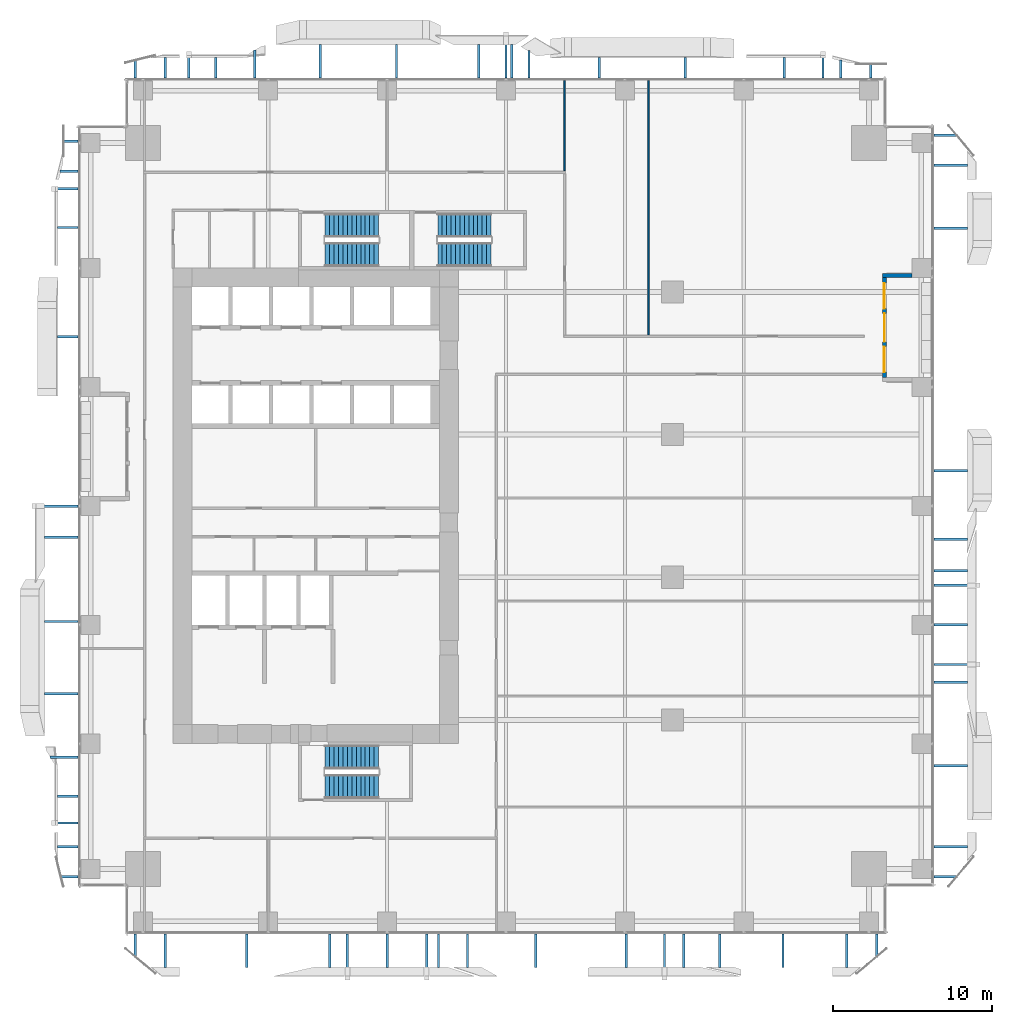
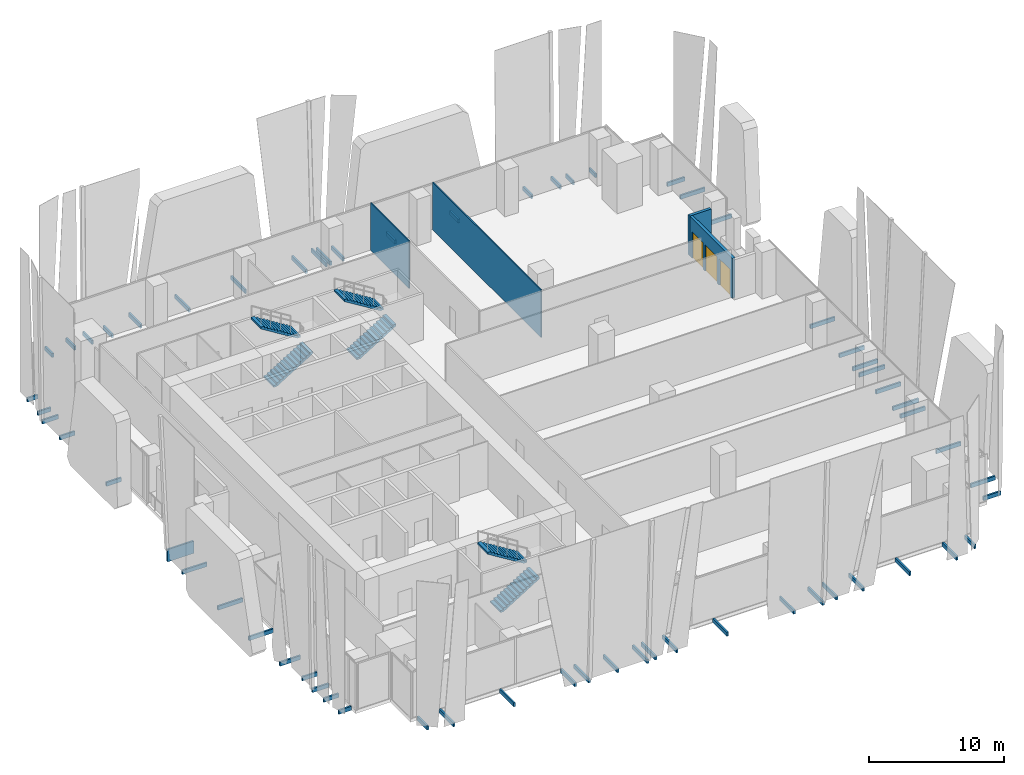
# One storey, part 32 of 37: 61 discrete accessories, 6 stair flights, 4 walls, 2 windows, 1 door, 3 openings, 3 elements without a shape of their own.
"""IFC4 building model written with IfcOpenShell, lengths in metres."""

import ifcopenshell
import ifcopenshell.guid

model = None  # the IFC model being written
_history = None  # IfcOwnerHistory: only IFC2X3 demands one
_inside = {}  # id of a spatial element -> (the spatial element, [elements in it])
_under = {}  # id of a project, library or spatial element -> (it, [spatial elements below it])
_declared = {}  # id of a project -> (the project, [libraries it declares])
_typed = {}  # id of a type object -> (the type object, [elements of that type])
_made_of = {}  # id of a material, layer set ... -> (it, [elements and type objects made of it])


def new_model(schema):
    """Start an empty IFC model of exactly this schema.

    Asked for "IFC4X3", IfcOpenShell would pick the latest addendum, in which some entities
    have other attributes; the version numbers below select the first issue.
    IFC2X3 requires an IfcOwnerHistory on every rooted entity: one is made here for all.
    """
    global model, _history
    if schema == "IFC4X3":
        model = ifcopenshell.file(schema_version=(4, 3, 0, 0))
    else:
        model = ifcopenshell.file(schema=schema)
    _inside.clear()
    _under.clear()
    _declared.clear()
    _typed.clear()
    _made_of.clear()
    _history = None
    if model.schema == "IFC2X3":
        org = make("IfcOrganization", Name="unknown")
        user = make(
            "IfcPersonAndOrganization",
            ThePerson=make("IfcPerson", FamilyName="unknown"),
            TheOrganization=org,
        )
        app = make(
            "IfcApplication",
            ApplicationDeveloper=org,
            Version="unknown",
            ApplicationFullName="unknown",
            ApplicationIdentifier="unknown",
        )
        _history = make(
            "IfcOwnerHistory",
            OwningUser=user,
            OwningApplication=app,
            ChangeAction="ADDED",
            CreationDate=0,
        )
    return model


def make(cls, **values):
    """One entity of the class cls with the attributes given. An attribute that is None is left unset."""
    return model.create_entity(
        cls, **{name: value for name, value in values.items() if value is not None}
    )


def rooted(cls, **values):
    """An entity with a GlobalId (a new one), such as an element, a storey or a relation."""
    return make(cls, GlobalId=ifcopenshell.guid.new(), OwnerHistory=_history, **values)


def si_unit(unit_type, name, prefix=None):
    """IfcSIUnit, for example si_unit("LENGTHUNIT", "METRE", prefix="MILLI")."""
    return make("IfcSIUnit", UnitType=unit_type, Prefix=prefix, Name=name)


def assignment(units):
    """IfcUnitAssignment: the units of a project."""
    return None if units is None else make("IfcUnitAssignment", Units=units)


def point(xyz):
    """IfcCartesianPoint."""
    return None if xyz is None else make("IfcCartesianPoint", Coordinates=xyz)


def direction(xyz):
    """IfcDirection."""
    return None if xyz is None else make("IfcDirection", DirectionRatios=xyz)


def frame(location, z_axis=None, x_axis=None):
    """IfcAxis2Placement3D, a coordinate frame: its origin and axes. An axis left out is left unset."""
    return make(
        "IfcAxis2Placement3D",
        Location=point(location),
        Axis=direction(z_axis),
        RefDirection=direction(x_axis),
    )


def frame_2d(location, x_axis=None):
    """IfcAxis2Placement2D, a coordinate frame in the plane: its origin and x axis."""
    return make(
        "IfcAxis2Placement2D", Location=point(location), RefDirection=direction(x_axis)
    )


def origin():
    """The frame at (0, 0, 0) with its axes left unset."""
    return frame((0.0, 0.0, 0.0))


def origin_2d():
    """The frame at (0, 0) in the plane with its x axis left unset."""
    return frame_2d((0.0, 0.0))


def place(relative_to, where):
    """IfcLocalPlacement: puts the frame where relative to a parent placement (None: the world)."""
    return make(
        "IfcLocalPlacement", PlacementRelTo=relative_to, RelativePlacement=where
    )


def context(
    kind, dimensions, precision=None, world=None, true_north=None, identifier=None
):
    """IfcGeometricRepresentationContext, for example the 3D "Model" context."""
    return make(
        "IfcGeometricRepresentationContext",
        ContextIdentifier=identifier,
        ContextType=kind,
        CoordinateSpaceDimension=dimensions,
        Precision=precision,
        WorldCoordinateSystem=world,
        TrueNorth=true_north,
    )


def subcontext(parent, identifier, kind, view, scale=None):
    """IfcGeometricRepresentationSubContext, for example "Body" below "Model"."""
    return make(
        "IfcGeometricRepresentationSubContext",
        ContextIdentifier=identifier,
        ContextType=kind,
        ParentContext=parent,
        TargetScale=scale,
        TargetView=view,
    )


def project(units=None, contexts=None):
    """IfcProject with its units and contexts."""
    return rooted(
        "IfcProject",
        Name="project",
        RepresentationContexts=contexts,
        UnitsInContext=assignment(units),
    )


def spatial(cls, under=None, at=None, **own):
    """A site, building, storey or space (cls), placed at a placement, below another one or the project."""
    s = rooted(cls, ObjectPlacement=at, **own)
    if under is not None:
        _under.setdefault(under.id(), (under, []))[1].append(s)
    return s


def polyline(points):
    """IfcPolyline through the points."""
    return make("IfcPolyline", Points=[point(p) for p in points])


def profile(cls, at=None, kind="AREA", **sizes):
    """A parametric profile (cls). Its sizes go by their IFC names, for example OverallWidth=200.0."""
    return make(cls, ProfileType=kind, Position=at, **sizes)


def rectangle(**sizes):
    """IfcRectangleProfileDef."""
    return profile("IfcRectangleProfileDef", **sizes)


def outline(outer, holes=None, kind="AREA"):
    """IfcArbitraryClosedProfileDef: a profile drawn as a closed curve; with holes, ...WithVoids."""
    if holes is None:
        return make("IfcArbitraryClosedProfileDef", ProfileType=kind, OuterCurve=outer)
    return make(
        "IfcArbitraryProfileDefWithVoids",
        ProfileType=kind,
        OuterCurve=outer,
        InnerCurves=holes,
    )


def extrude(swept, where, along, depth):
    """IfcExtrudedAreaSolid: the profile swept, set in the frame where, extruded along a direction by depth."""
    return make(
        "IfcExtrudedAreaSolid",
        SweptArea=swept,
        Position=where,
        ExtrudedDirection=direction(along),
        Depth=depth,
    )


def shape(context_of_items, identifier, shape_type, items):
    """IfcShapeRepresentation: the items that make up one representation, for example the "Body"."""
    return make(
        "IfcShapeRepresentation",
        ContextOfItems=context_of_items,
        RepresentationIdentifier=identifier,
        RepresentationType=shape_type,
        Items=items,
    )


def source(mapping_origin, context_of_items, identifier, shape_type, items):
    """IfcRepresentationMap: a shape defined once, which mapped items show again and again."""
    return make(
        "IfcRepresentationMap",
        MappingOrigin=mapping_origin,
        MappedRepresentation=shape(context_of_items, identifier, shape_type, items),
    )


def transform(
    local_origin,
    x_axis=None,
    y_axis=None,
    z_axis=None,
    scale=None,
    scale2=None,
    scale3=None,
    uniform=True,
):
    """IfcCartesianTransformationOperator3D, or its non-uniform kind. x_axis, y_axis, z_axis: its Axis1, 2, 3."""
    if uniform:
        return make(
            "IfcCartesianTransformationOperator3D",
            Axis1=direction(x_axis),
            Axis2=direction(y_axis),
            LocalOrigin=point(local_origin),
            Scale=scale,
            Axis3=direction(z_axis),
        )
    return make(
        "IfcCartesianTransformationOperator3DnonUniform",
        Axis1=direction(x_axis),
        Axis2=direction(y_axis),
        LocalOrigin=point(local_origin),
        Scale=scale,
        Axis3=direction(z_axis),
        Scale2=scale2,
        Scale3=scale3,
    )


def mapped(mapping_source, mapping_target):
    """IfcMappedItem: shows the shape of a source again, moved by a transform."""
    return make(
        "IfcMappedItem", MappingSource=mapping_source, MappingTarget=mapping_target
    )


def material(Name=None, Category=None):
    """IfcMaterial."""
    return make("IfcMaterial", Name=Name, Category=Category)


def layer(
    of_material, thickness, ventilated=None, Name=None, Category=None, Priority=None
):
    """IfcMaterialLayer: one layer of a wall or slab, of a material (None: an air gap)."""
    return make(
        "IfcMaterialLayer",
        Material=of_material,
        LayerThickness=thickness,
        IsVentilated=ventilated,
        Name=Name,
        Category=Category,
        Priority=Priority,
    )


def layer_set(layers, Name=None):
    """IfcMaterialLayerSet."""
    return make("IfcMaterialLayerSet", MaterialLayers=layers, LayerSetName=Name)


def made_of(thing, what):
    """Note that an element or type object is made of a material, layer set ...; save() writes the relation."""
    if what is not None:
        _made_of.setdefault(what.id(), (what, []))[1].append(thing)
    return thing


def type_object(cls, material=None, **own):
    """A type object (cls), such as IfcWallType, which elements share."""
    return made_of(rooted(cls, **own), material)


def element(
    cls,
    number,
    at=None,
    inside=None,
    cuts=None,
    type_object=None,
    material=None,
    context=None,
    identifier="Body",
    shape_type=None,
    held_by="IfcProductDefinitionShape",
    body=None,
    shapes=None,
    **own,
):
    """One element of the class cls, such as IfcWall. Its Tag is "e" and its number.

    at: its placement. inside: the storey or other place that contains it. cuts: it is an
    opening in that element (IfcRelVoidsElement). A single representation is given by context,
    identifier, shape_type and body (its items); several are given by shapes. held_by: the class
    of the entity that holds the representations. save() writes the other relations.
    """
    e = rooted(cls, Tag="e%d" % number, ObjectPlacement=at, **own)
    if body is not None:
        shapes = [shape(context, identifier, shape_type, body)]
    if shapes is not None:
        e.Representation = make(held_by, Representations=shapes)
    if inside is not None:
        _inside.setdefault(inside.id(), (inside, []))[1].append(e)
    if cuts is not None:
        rooted(
            "IfcRelVoidsElement", RelatingBuildingElement=cuts, RelatedOpeningElement=e
        )
    if type_object is not None:
        _typed.setdefault(type_object.id(), (type_object, []))[1].append(e)
    return made_of(e, material)


def fill(opening, filler):
    """IfcRelFillsElement: the door or window that sits in an opening."""
    return rooted(
        "IfcRelFillsElement",
        RelatingOpeningElement=opening,
        RelatedBuildingElement=filler,
    )


def aggregate(whole, parts):
    """IfcRelAggregates: a whole, such as a stair, and the parts it consists of."""
    return rooted("IfcRelAggregates", RelatingObject=whole, RelatedObjects=parts)


def save(model, path):
    """Write the relations noted so far, then the file.

    IfcRelAggregates (storeys below a building ...), IfcRelContainedInSpatialStructure (elements
    in a storey), IfcRelDefinesByType, IfcRelAssociatesMaterial and IfcRelDeclares: one each for
    every whole, place, type object, material and project.
    """
    for whole, parts in _under.values():
        aggregate(whole, parts)
    for where, things in _inside.values():
        rooted(
            "IfcRelContainedInSpatialStructure",
            RelatedElements=things,
            RelatingStructure=where,
        )
    for kind, things in _typed.values():
        rooted("IfcRelDefinesByType", RelatedObjects=things, RelatingType=kind)
    for what, things in _made_of.values():
        rooted("IfcRelAssociatesMaterial", RelatedObjects=things, RelatingMaterial=what)
    for by, libraries in _declared.values():
        rooted("IfcRelDeclares", RelatingContext=by, RelatedDefinitions=libraries)
    model.write(path)


model = new_model("IFC4")

# Units and contexts
model_context = context("Model", 3, precision=1e-05, world=origin(), true_north=direction((0.0, 1.0)))
body_context = subcontext(model_context, "Body", "Model", "MODEL_VIEW")
ifc_project = project(units=[si_unit("LENGTHUNIT", "METRE"), si_unit("AREAUNIT", "SQUARE_METRE"), si_unit("VOLUMEUNIT", "CUBIC_METRE"), si_unit("PLANEANGLEUNIT", "RADIAN"), si_unit("MASSUNIT", "GRAM", prefix="KILO")], contexts=[model_context])

# Site, building, storey
site_placement = place(None, origin())
site = spatial("IfcSite", under=ifc_project, at=site_placement, CompositionType="ELEMENT")
building_placement = place(site_placement, origin())
building = spatial("IfcBuilding", under=site, at=building_placement, Name="Khomas Fold Tower", CompositionType="ELEMENT")
storey_placement = place(building_placement, frame((0.0, 0.0, 60.0)))
storey = spatial("IfcBuildingStorey", under=building, at=storey_placement, Name="L12", CompositionType="ELEMENT", Elevation=60.0)

# Wall, openings, windows, door
ifc_material_1 = material(Name="Natural stone", Category="masonry")
ifc_layer_1 = layer(ifc_material_1, 0.0400390625)
ifc_material_2 = material(Name="Mineral wool insulation", Category="insulation")
ifc_layer_2 = layer(ifc_material_2, 0.10009765625)
ifc_material_3 = material(Name="Masonry", Category="masonry")
ifc_layer_3 = layer(ifc_material_3, 0.110107421875)
ifc_layer_set_1 = layer_set([ifc_layer_1, ifc_layer_2, ifc_layer_3], Name="Stone-faced insulated masonry")
wall_type_1 = type_object("IfcWallType", Name="BL-Balcony wall", PredefinedType="SOLIDWALL", material=ifc_layer_set_1)
shared_shape_1 = source(origin(), body_context, "Body", "SweptSolid", [
    extrude(rectangle(XDim=6.2998046875, YDim=0.25, at=frame_2d((3.14990234375, 0.0))), origin(), (0.0, 0.0, 1.0), 3.60009765625),
])
wall_1_placement = place(storey_placement, frame((50.875, 35.10009765625, 0.0), z_axis=(0.0, 0.0, 1.0), x_axis=(0.0, 1.0, 0.0)))
wall_1 = element("IfcWall", 1, at=wall_1_placement, inside=storey, type_object=wall_type_1, Name="Balcony wall BAL-L12-E4", PredefinedType="SOLIDWALL", context=body_context, shape_type="MappedRepresentation", body=[
    mapped(shared_shape_1, transform((0.0, 0.0, 0.0))),
])
shared_shape_2 = source(origin(), body_context, "Body", "SweptSolid", [
    extrude(rectangle(XDim=1.60009765625, YDim=2.39990234375, at=frame_2d((0.800048828125, 1.199951171875))), frame((0.0, 0.135009765625, 0.0), z_axis=(0.0, -1.0, 0.0), x_axis=(1.0, 0.0, 0.0)), (0.0, 0.0, 1.0), 0.27001953125),
])
opening_1_placement = place(wall_1_placement, frame((0.35009765625, 0.0, 0.0)))
opening_1 = element("IfcOpeningElement", 2, at=opening_1_placement, cuts=wall_1, Name="Opening BL-W1", PredefinedType="OPENING", context=body_context, shape_type="MappedRepresentation", body=[
    mapped(shared_shape_2, transform((0.0, 0.0, 0.0))),
])
opening_2_placement = place(wall_1_placement, frame((4.35009765625, 0.0, 0.0)))
opening_2 = element("IfcOpeningElement", 3, at=opening_2_placement, cuts=wall_1, Name="Opening BL-W1", PredefinedType="OPENING", context=body_context, shape_type="MappedRepresentation", body=[
    mapped(shared_shape_2, transform((0.0, 0.0, 0.0))),
])
shared_shape_3 = source(origin(), body_context, "Body", "SweptSolid", [
    extrude(rectangle(XDim=1.800048828125, YDim=2.39990234375, at=frame_2d((0.89990234375, 1.199951171875))), frame((0.0, 0.135009765625, 0.0), z_axis=(0.0, -1.0, 0.0), x_axis=(1.0, 0.0, 0.0)), (0.0, 0.0, 1.0), 0.27001953125),
])
opening_3_placement = place(wall_1_placement, frame((2.25, 0.0, 0.0)))
opening_3 = element("IfcOpeningElement", 4, at=opening_3_placement, cuts=wall_1, Name="Opening BD121", PredefinedType="OPENING", context=body_context, shape_type="MappedRepresentation", body=[
    mapped(shared_shape_3, transform((0.0, 0.0, 0.0))),
])
ifc_material_4 = material(Name="Aluminium framed double glazing", Category="aluminium")
window_type = type_object("IfcWindowType", Name="BL-Fixed glazing 1600 x 2400", PartitioningType="SINGLE_PANEL", PredefinedType="WINDOW", material=ifc_material_4)
shared_shape_4 = source(origin(), body_context, "Body", "SweptSolid", [
    extrude(rectangle(XDim=1.60009765625, YDim=2.39990234375, at=frame_2d((0.800048828125, 1.199951171875))), frame((0.0, 0.030029296875, 0.0), z_axis=(0.0, -1.0, 0.0), x_axis=(1.0, 0.0, 0.0)), (0.0, 0.0, 1.0), 0.06005859375),
])
window_1_placement = place(opening_1_placement, origin())
window_1 = element("IfcWindow", 5, at=window_1_placement, inside=storey, type_object=window_type, Name="Balcony glazing BAL-L12-E4-1", OverallHeight=2.39990234375, OverallWidth=1.60009765625, PartitioningType="SINGLE_PANEL", PredefinedType="WINDOW", context=body_context, shape_type="MappedRepresentation", body=[
    mapped(shared_shape_4, transform((0.0, 0.0, 0.0))),
])
fill(opening_1, window_1)
window_2_placement = place(opening_2_placement, origin())
window_2 = element("IfcWindow", 6, at=window_2_placement, inside=storey, type_object=window_type, Name="Balcony glazing BAL-L12-E4-2", OverallHeight=2.39990234375, OverallWidth=1.60009765625, PartitioningType="SINGLE_PANEL", PredefinedType="WINDOW", context=body_context, shape_type="MappedRepresentation", body=[
    mapped(shared_shape_4, transform((0.0, 0.0, 0.0))),
])
fill(opening_2, window_2)
ifc_material_5 = material(Name="Aluminium framed double glazing", Category="aluminium")
door_type = type_object("IfcDoorType", Name="BL-Glazed balcony door 1800 x 2400", OperationType="DOUBLE_DOOR_DOUBLE_SWING", PredefinedType="DOOR", material=ifc_material_5)
shared_shape_5 = source(origin(), body_context, "Body", "SweptSolid", [
    extrude(rectangle(XDim=1.800048828125, YDim=2.39990234375, at=frame_2d((0.89990234375, 1.199951171875))), frame((0.0, 0.02490234375, 0.0), z_axis=(0.0, -1.0, 0.0), x_axis=(1.0, 0.0, 0.0)), (0.0, 0.0, 1.0), 0.050048828125),
])
door_placement = place(opening_3_placement, origin())
door = element("IfcDoor", 7, at=door_placement, inside=storey, type_object=door_type, Name="Balcony door BD121", OperationType="DOUBLE_DOOR_DOUBLE_SWING", OverallHeight=2.39990234375, OverallWidth=1.800048828125, PredefinedType="DOOR", context=body_context, shape_type="MappedRepresentation", body=[
    mapped(shared_shape_5, transform((0.0, 0.0, 0.0))),
])
fill(opening_3, door)

# Walls
shared_shape_6 = source(origin(), body_context, "Body", "SweptSolid", [
    extrude(rectangle(XDim=1.85009765625, YDim=0.25, at=frame_2d((0.925048828125, 0.0))), origin(), (0.0, 0.0, 1.0), 3.60009765625),
])
wall_2_placement = place(storey_placement, frame((52.60009765625, 41.52490234375, 0.0), z_axis=(0.0, 0.0, 1.0), x_axis=(-1.0, 0.0, 0.0)))
element("IfcWall", 8, at=wall_2_placement, inside=storey, type_object=wall_type_1, Name="Balcony return wall BAL-L12-E4-hi", PredefinedType="SOLIDWALL", context=body_context, shape_type="MappedRepresentation", body=[
    mapped(shared_shape_6, transform((0.0, 0.0, 0.0))),
])
ifc_material_6 = material(Name="Plasterboard partition")
ifc_layer_4 = layer(ifc_material_6, 0.10009765625)
ifc_layer_set_2 = layer_set([ifc_layer_4], Name="Plasterboard partition")
wall_type_2 = type_object("IfcWallType", Name="Partition PW1 100", PredefinedType="PARTITIONING", material=ifc_layer_set_2)
shared_shape_7 = source(origin(), body_context, "Body", "SweptSolid", [
    extrude(rectangle(XDim=5.7001953125, YDim=0.10009765625, at=frame_2d((2.85009765625, 0.0))), origin(), (0.0, 0.0, 1.0), 4.300048828125),
])
wall_3_placement = place(storey_placement, frame((30.699951171875, 48.14990234375, 0.0), z_axis=(0.0, 0.0, 1.0), x_axis=(0.0, 1.0, 0.0)))
element("IfcWall", 9, at=wall_3_placement, inside=storey, type_object=wall_type_2, Name="Partition", PredefinedType="PARTITIONING", context=body_context, shape_type="MappedRepresentation", body=[
    mapped(shared_shape_7, transform((0.0, 0.0, 0.0))),
])
shared_shape_8 = source(origin(), body_context, "Body", "SweptSolid", [
    extrude(rectangle(XDim=16.050048828125, YDim=0.10009765625, at=frame_2d((8.02490234375, 0.0))), origin(), (0.0, 0.0, 1.0), 4.300048828125),
])
wall_4_placement = place(storey_placement, frame((36.0, 37.800048828125, 0.0), z_axis=(0.0, 0.0, 1.0), x_axis=(0.0, 1.0, 0.0)))
element("IfcWall", 10, at=wall_4_placement, inside=storey, type_object=wall_type_2, Name="Partition", PredefinedType="PARTITIONING", context=body_context, shape_type="MappedRepresentation", body=[
    mapped(shared_shape_8, transform((0.0, 0.0, 0.0))),
])

# Stair, stair flights
ifc_material_7 = material(Name="Concrete C40/50", Category="concrete")
stair_type_1 = type_object("IfcStairType", Name="Stair ST1", PredefinedType="HALF_TURN_STAIR", material=ifc_material_7)
stair_1_placement = place(storey_placement, origin())
stair_1 = element("IfcStair", 11, at=stair_1_placement, inside=storey, type_object=stair_type_1, Name="L12 ST1", PredefinedType="HALF_TURN_STAIR")
ifc_material_8 = material(Name="Concrete C40/50", Category="concrete")
stair_flight_type_1 = type_object("IfcStairFlightType", Name="Stair flight 1500 ST1", PredefinedType="STRAIGHT", material=ifc_material_8)
shared_shape_9 = source(origin(), body_context, "Body", "SweptSolid", [
    extrude(outline(polyline([(0.0, 0.0), (0.0, 0.013427734375), (0.0, 0.026611328125), (0.0, 0.0400390625), (0.0, 0.05322265625), (0.0, 0.066650390625), (0.0, 0.079833984375), (0.0, 0.09326171875), (0.0, 0.1064453125), (0.0, 0.119873046875), (0.0, 0.133056640625), (0.0, 0.146484375), (0.0, 0.15966796875), (0.0, 0.173095703125), (0.280029296875, 0.173095703125), (0.280029296875, 0.34619140625), (0.56005859375, 0.34619140625), (0.56005859375, 0.519287109375), (0.840087890625, 0.519287109375), (0.840087890625, 0.6923828125), (1.1201171875, 0.6923828125), (1.1201171875, 0.865478515625), (1.39990234375, 0.865478515625), (1.39990234375, 1.03857421875), (1.679931640625, 1.03857421875), (1.679931640625, 1.21142578125), (1.9599609375, 1.21142578125), (1.9599609375, 1.384521484375), (2.239990234375, 1.384521484375), (2.239990234375, 1.5576171875), (2.52001953125, 1.5576171875), (2.52001953125, 1.730712890625), (2.800048828125, 1.730712890625), (2.800048828125, 1.90380859375), (3.080078125, 1.90380859375), (3.080078125, 2.076904296875), (3.360107421875, 2.076904296875), (3.360107421875, 2.25), (3.360107421875, 2.22314453125), (3.360107421875, 2.1962890625), (3.360107421875, 2.16943359375), (3.360107421875, 2.142578125), (3.360107421875, 2.11572265625), (3.360107421875, 2.0888671875), (3.360107421875, 2.06201171875), (3.360107421875, 2.03515625), (3.360107421875, 2.008056640625), (3.360107421875, 1.981201171875), (3.360107421875, 1.954345703125), (3.360107421875, 1.927490234375), (3.360107421875, 1.900634765625), (0.28515625, 0.0), (0.0, 0.0)])), frame((0.0, 0.75, 0.0), z_axis=(0.0, -1.0, 0.0), x_axis=(1.0, 0.0, 0.0)), (0.0, 0.0, 1.0), 1.5),
])
stair_flight_1_placement = place(storey_placement, frame((15.60009765625, 42.85009765625, 0.0), z_axis=(0.0, 0.0, 1.0), x_axis=(1.0, 0.0, 0.0)))
stair_flight_1 = element("IfcStairFlight", 12, at=stair_flight_1_placement, type_object=stair_flight_type_1, Name="ST1 flight 1", NumberOfRisers=13, NumberOfTreads=12, PredefinedType="STRAIGHT", RiserHeight=0.173076923, TreadLength=0.28, context=body_context, shape_type="MappedRepresentation", body=[
    mapped(shared_shape_9, transform((0.0, 0.0, 0.0))),
])
stair_flight_2_placement = place(storey_placement, frame((18.9599609375, 44.699951171875, 2.25), z_axis=(0.0, 0.0, 1.0), x_axis=(-1.0, 0.0, 0.0)))
stair_flight_2 = element("IfcStairFlight", 13, at=stair_flight_2_placement, type_object=stair_flight_type_1, Name="ST1 flight 2", NumberOfRisers=13, NumberOfTreads=12, PredefinedType="STRAIGHT", RiserHeight=0.173076923, TreadLength=0.28, context=body_context, shape_type="MappedRepresentation", body=[
    mapped(shared_shape_9, transform((0.0, 0.0, 0.0))),
])
aggregate(stair_1, [stair_flight_1, stair_flight_2])

ifc_material_9 = material(Name="Concrete C40/50", Category="concrete")
stair_type_2 = type_object("IfcStairType", Name="Stair ST2", PredefinedType="HALF_TURN_STAIR", material=ifc_material_9)
stair_2_placement = place(storey_placement, origin())
stair_2 = element("IfcStair", 14, at=stair_2_placement, inside=storey, type_object=stair_type_2, Name="L12 ST2", PredefinedType="HALF_TURN_STAIR")
ifc_material_10 = material(Name="Concrete C40/50", Category="concrete")
stair_flight_type_2 = type_object("IfcStairFlightType", Name="Stair flight 1500 ST2", PredefinedType="STRAIGHT", material=ifc_material_10)
stair_flight_3_placement = place(storey_placement, frame((15.60009765625, 9.300048828125, 0.0), z_axis=(0.0, 0.0, 1.0), x_axis=(1.0, 0.0, 0.0)))
stair_flight_3 = element("IfcStairFlight", 15, at=stair_flight_3_placement, type_object=stair_flight_type_2, Name="ST2 flight 1", NumberOfRisers=13, NumberOfTreads=12, PredefinedType="STRAIGHT", RiserHeight=0.173076923, TreadLength=0.28, context=body_context, shape_type="MappedRepresentation", body=[
    mapped(shared_shape_9, transform((0.0, 0.0, 0.0))),
])
stair_flight_4_placement = place(storey_placement, frame((18.9599609375, 11.14990234375, 2.25), z_axis=(0.0, 0.0, 1.0), x_axis=(-1.0, 0.0, 0.0)))
stair_flight_4 = element("IfcStairFlight", 16, at=stair_flight_4_placement, type_object=stair_flight_type_2, Name="ST2 flight 2", NumberOfRisers=13, NumberOfTreads=12, PredefinedType="STRAIGHT", RiserHeight=0.173076923, TreadLength=0.28, context=body_context, shape_type="MappedRepresentation", body=[
    mapped(shared_shape_9, transform((0.0, 0.0, 0.0))),
])
aggregate(stair_2, [stair_flight_3, stair_flight_4])

ifc_material_11 = material(Name="Concrete C40/50", Category="concrete")
stair_type_3 = type_object("IfcStairType", Name="Stair ST3", PredefinedType="HALF_TURN_STAIR", material=ifc_material_11)
stair_3_placement = place(storey_placement, origin())
stair_3 = element("IfcStair", 17, at=stair_3_placement, inside=storey, type_object=stair_type_3, Name="L12 ST3", PredefinedType="HALF_TURN_STAIR")
ifc_material_12 = material(Name="Concrete C40/50", Category="concrete")
stair_flight_type_3 = type_object("IfcStairFlightType", Name="Stair flight 1500 ST3", PredefinedType="STRAIGHT", material=ifc_material_12)
stair_flight_5_placement = place(storey_placement, frame((22.699951171875, 42.85009765625, 0.0), z_axis=(0.0, 0.0, 1.0), x_axis=(1.0, 0.0, 0.0)))
stair_flight_5 = element("IfcStairFlight", 18, at=stair_flight_5_placement, type_object=stair_flight_type_3, Name="ST3 flight 1", NumberOfRisers=13, NumberOfTreads=12, PredefinedType="STRAIGHT", RiserHeight=0.173076923, TreadLength=0.28, context=body_context, shape_type="MappedRepresentation", body=[
    mapped(shared_shape_9, transform((0.0, 0.0, 0.0))),
])
stair_flight_6_placement = place(storey_placement, frame((26.06005859375, 44.699951171875, 2.25), z_axis=(0.0, 0.0, 1.0), x_axis=(-1.0, 0.0, 0.0)))
stair_flight_6 = element("IfcStairFlight", 19, at=stair_flight_6_placement, type_object=stair_flight_type_3, Name="ST3 flight 2", NumberOfRisers=13, NumberOfTreads=12, PredefinedType="STRAIGHT", RiserHeight=0.173076923, TreadLength=0.28, context=body_context, shape_type="MappedRepresentation", body=[
    mapped(shared_shape_9, transform((0.0, 0.0, 0.0))),
])
aggregate(stair_3, [stair_flight_5, stair_flight_6])

# Discrete accessories
ifc_material_13 = material(Name="Stainless steel", Category="steel")
discrete_accessory_type = type_object("IfcDiscreteAccessoryType", Name="SK-Stainless steel stone bracket", PredefinedType="BRACKET", material=ifc_material_13)
shared_shape_10 = source(origin(), body_context, "Body", "SweptSolid", [
    extrude(rectangle(XDim=2.10888671875, YDim=0.14990234375, at=origin_2d()), origin(), (0.0, 0.0, 1.0), 0.360107421875),
])
for number, where, z_axis, x_axis, name in (
    (20, (10.6572265625, -1.054443359375, -0.30029296875), (0.0, 0.0, 1.0), (0.0, -1.0, 0.0), "Stone bracket L12 SS03-1-3"),
    (21, (28.877685546875, -1.054443359375, -0.30029296875), (0.0, 0.0, 1.0), (0.0, -1.0, 0.0), "Stone bracket L12 SS06-2-3"),
    (22, (44.4775390625, -1.054443359375, -0.30029296875), (0.0, 0.0, 1.0), (0.0, -1.0, 0.0), "Stone bracket L12 SS09-3-3"),
    (23, (55.054443359375, 10.602783203125, -0.30029296875), (0.0, 0.0, 1.0), (1.0, 0.0, 0.0), "Stone bracket L12 ES03-1-1"),
    (24, (55.054443359375, 29.2236328125, -0.30029296875), (0.0, 0.0, 1.0), (1.0, 0.0, 0.0), "Stone bracket L12 ES06-2-1"),
    (25, (55.054443359375, 44.51611328125, -0.30029296875), (0.0, 0.0, 1.0), (1.0, 0.0, 0.0), "Stone bracket L12 ES09-3-1"),
    (26, (15.286865234375, 55.054443359375, -0.30029296875), (0.0, 0.0, 1.0), (0.0, 1.0, 0.0), "Stone bracket L12 NS05-1-1"),
    (27, (20.09326171875, 55.054443359375, -0.30029296875), (0.0, 0.0, 1.0), (0.0, 1.0, 0.0), "Stone bracket L12 NS05-1-2"),
    (28, (-1.054443359375, 15.15869140625, -0.30029296875), (0.0, 0.0, 1.0), (-1.0, 0.0, 0.0), "Stone bracket L12 WS05-1-1"),
    (29, (-1.054443359375, 19.708740234375, -0.30029296875), (0.0, 0.0, 1.0), (-1.0, 0.0, 0.0), "Stone bracket L12 WS05-1-2"),
    (30, (5.509521484375, -1.054443359375, -0.30029296875), (0.0, 0.0, 1.0), (0.0, -1.0, 0.0), "Stone bracket L12 SG098-1-1"),
    (31, (24.570556640625, -1.054443359375, -0.30029296875), (0.0, 0.0, 1.0), (0.0, -1.0, 0.0), "Stone bracket L12 SG102-3-1"),
    (32, (15.873046875, -1.054443359375, -0.30029296875), (0.0, 0.0, 1.0), (0.0, -1.0, 0.0), "Stone bracket L12 SG100-4-1"),
    (33, (19.5, -1.054443359375, -0.30029296875), (0.0, 0.0, 1.0), (0.0, -1.0, 0.0), "Stone bracket L12 SG101-6-1"),
    (34, (22.7421875, -1.054443359375, -0.30029296875), (0.0, 0.0, 1.0), (0.0, -1.0, 0.0), "Stone bracket L12 SG102-8-1"),
    (35, (40.494873046875, -1.054443359375, -0.30029296875), (0.0, 0.0, 1.0), (0.0, -1.0, 0.0), "Stone bracket L12 SG105-9-1"),
    (36, (34.57666015625, -1.054443359375, -0.30029296875), (0.0, 0.0, 1.0), (0.0, -1.0, 0.0), "Stone bracket L12 SG104-10-1"),
    (37, (38.204345703125, -1.054443359375, -0.30029296875), (0.0, 0.0, 1.0), (0.0, -1.0, 0.0), "Stone bracket L12 SG105-12-1"),
    (38, (48.490478515625, -1.054443359375, -0.30029296875), (0.0, 0.0, 1.0), (0.0, -1.0, 0.0), "Stone bracket L12 SG107-13-1"),
    (39, (55.054443359375, 5.509521484375, -0.30029296875), (0.0, 0.0, 1.0), (1.0, 0.0, 0.0), "Stone bracket L12 EG098-1-1"),
    (40, (55.054443359375, 24.909423828125, -0.30029296875), (0.0, 0.0, 1.0), (1.0, 0.0, 0.0), "Stone bracket L12 EG102-3-1"),
    (41, (55.054443359375, 15.873046875, -0.30029296875), (0.0, 0.0, 1.0), (1.0, 0.0, 0.0), "Stone bracket L12 EG100-4-1"),
    (42, (55.054443359375, 19.5, -0.30029296875), (0.0, 0.0, 1.0), (1.0, 0.0, 0.0), "Stone bracket L12 EG101-6-1"),
    (43, (55.054443359375, 22.91162109375, -0.30029296875), (0.0, 0.0, 1.0), (1.0, 0.0, 0.0), "Stone bracket L12 EG102-8-1"),
    (44, (55.054443359375, 48.490478515625, -0.30029296875), (0.0, 0.0, 1.0), (1.0, 0.0, 0.0), "Stone bracket L12 EG107-9-1"),
    (45, (25.276123046875, 55.054443359375, -0.30029296875), (0.0, 0.0, 1.0), (0.0, 1.0, 0.0), "Stone bracket L12 NG102-6-1"),
    (46, (27.365478515625, 55.054443359375, -0.30029296875), (0.0, 0.0, 1.0), (0.0, 1.0, 0.0), "Stone bracket L12 NG103-8-1"),
    (47, (-1.054443359375, 25.016357421875, -0.30029296875), (0.0, 0.0, 1.0), (-1.0, 0.0, 0.0), "Stone bracket L12 WG102-6-1"),
):
    element("IfcDiscreteAccessory", number, at=place(storey_placement, frame(where, z_axis=z_axis, x_axis=x_axis)), inside=storey, type_object=discrete_accessory_type, Name=name, PredefinedType="BRACKET", context=body_context, shape_type="MappedRepresentation", body=[
        mapped(shared_shape_10, transform((0.0, 0.0, 0.0))),
    ])
shared_shape_11 = source(origin(), body_context, "Body", "SweptSolid", [
    extrude(rectangle(XDim=1.280029296875, YDim=0.14990234375, at=origin_2d()), origin(), (0.0, 0.0, 1.0), 0.360107421875),
])
for number, where, z_axis, x_axis, name in (
    (48, (32.89111328125, 54.64013671875, -0.30029296875), (0.0, 0.0, 1.0), (0.0, 1.0, 0.0), "Stone bracket L12 NS08-2-1"),
    (49, (38.3056640625, 54.64013671875, -0.30029296875), (0.0, 0.0, 1.0), (0.0, 1.0, 0.0), "Stone bracket L12 NS08-2-2"),
    (50, (-0.64013671875, 37.67138671875, -0.30029296875), (0.0, 0.0, 1.0), (-1.0, 0.0, 0.0), "Stone bracket L12 WS08-2-1"),
    (51, (5.509521484375, 54.64013671875, -0.30029296875), (0.0, 0.0, 1.0), (0.0, 1.0, 0.0), "Stone bracket L12 NG098-1-1"),
    (52, (8.692138671875, 54.64013671875, -0.30029296875), (0.0, 0.0, 1.0), (0.0, 1.0, 0.0), "Stone bracket L12 NG099-4-1"),
    (53, (44.566650390625, 54.64013671875, -0.30029296875), (0.0, 0.0, 1.0), (0.0, 1.0, 0.0), "Stone bracket L12 NG106-10-1"),
    (54, (-0.64013671875, 5.509521484375, -0.30029296875), (0.0, 0.0, 1.0), (-1.0, 0.0, 0.0), "Stone bracket L12 WG098-1-1"),
    (55, (-0.64013671875, 8.692138671875, -0.30029296875), (0.0, 0.0, 1.0), (-1.0, 0.0, 0.0), "Stone bracket L12 WG099-4-1"),
    (56, (-0.64013671875, 44.566650390625, -0.30029296875), (0.0, 0.0, 1.0), (-1.0, 0.0, 0.0), "Stone bracket L12 WG106-8-1"),
):
    element("IfcDiscreteAccessory", number, at=place(storey_placement, frame(where, z_axis=z_axis, x_axis=x_axis)), inside=storey, type_object=discrete_accessory_type, Name=name, PredefinedType="BRACKET", context=body_context, shape_type="MappedRepresentation", body=[
        mapped(shared_shape_11, transform((0.0, 0.0, 0.0))),
    ])
shared_shape_12 = source(origin(), body_context, "Body", "SweptSolid", [
    extrude(rectangle(XDim=0.925048828125, YDim=0.14990234375, at=origin_2d()), origin(), (0.0, 0.0, 1.0), 0.360107421875),
])
for number, where, z_axis, x_axis, name in (
    (57, (50.009521484375, 54.46240234375, -0.30029296875), (0.0, 0.0, 1.0), (0.0, 1.0, 0.0), "Stone bracket L12 NG107-12-1"),
    (58, (-0.46240234375, 50.009521484375, -0.30029296875), (0.0, 0.0, 1.0), (-1.0, 0.0, 0.0), "Stone bracket L12 WG107-10-1"),
):
    element("IfcDiscreteAccessory", number, at=place(storey_placement, frame(where, z_axis=z_axis, x_axis=x_axis)), inside=storey, type_object=discrete_accessory_type, Name=name, PredefinedType="BRACKET", context=body_context, shape_type="MappedRepresentation", body=[
        mapped(shared_shape_12, transform((0.0, 0.0, 0.0))),
    ])
shared_shape_13 = source(origin(), body_context, "Body", "SweptSolid", [
    extrude(rectangle(XDim=1.496826171875, YDim=0.14990234375, at=origin_2d()), origin(), (0.0, 0.0, 1.0), 0.360107421875),
])
for number, where, z_axis, x_axis, name in (
    (59, (3.611083984375, -0.748291015625, -0.30029296875), (0.0, 0.0, 1.0), (0.0, -1.0, 0.0), "Stone bracket L12 SG098-2-1"),
    (60, (50.388916015625, -0.748291015625, -0.30029296875), (0.0, 0.0, 1.0), (0.0, -1.0, 0.0), "Stone bracket L12 SG107-14-1"),
    (61, (54.748291015625, 3.611083984375, -0.30029296875), (0.0, 0.0, 1.0), (1.0, 0.0, 0.0), "Stone bracket L12 EG098-2-1"),
    (62, (54.748291015625, 50.388916015625, -0.30029296875), (0.0, 0.0, 1.0), (1.0, 0.0, 0.0), "Stone bracket L12 EG107-10-1"),
):
    element("IfcDiscreteAccessory", number, at=place(storey_placement, frame(where, z_axis=z_axis, x_axis=x_axis)), inside=storey, type_object=discrete_accessory_type, Name=name, PredefinedType="BRACKET", context=body_context, shape_type="MappedRepresentation", body=[
        mapped(shared_shape_13, transform((0.0, 0.0, 0.0))),
    ])
shared_shape_14 = source(origin(), body_context, "Body", "SweptSolid", [
    extrude(rectangle(XDim=2.203857421875, YDim=0.14990234375, at=origin_2d()), origin(), (0.0, 0.0, 1.0), 0.360107421875),
])
for number, where, z_axis, x_axis, name in (
    (63, (17.0, -1.101806640625, -0.30029296875), (0.0, 0.0, 1.0), (0.0, -1.0, 0.0), "Stone bracket L12 SM101-5-1"),
    (64, (22.0, -1.101806640625, -0.30029296875), (0.0, 0.0, 1.0), (0.0, -1.0, 0.0), "Stone bracket L12 SM102-7-1"),
    (65, (37.0, -1.101806640625, -0.30029296875), (0.0, 0.0, 1.0), (0.0, -1.0, 0.0), "Stone bracket L12 SM105-11-1"),
    (66, (55.101806640625, 17.0, -0.30029296875), (0.0, 0.0, 1.0), (1.0, 0.0, 0.0), "Stone bracket L12 EM101-5-1"),
    (67, (55.101806640625, 22.0, -0.30029296875), (0.0, 0.0, 1.0), (1.0, 0.0, 0.0), "Stone bracket L12 EM102-7-1"),
    (68, (27.0, 55.101806640625, -0.30029296875), (0.0, 0.0, 1.0), (0.0, 1.0, 0.0), "Stone bracket L12 NM103-7-1"),
):
    element("IfcDiscreteAccessory", number, at=place(storey_placement, frame(where, z_axis=z_axis, x_axis=x_axis)), inside=storey, type_object=discrete_accessory_type, Name=name, PredefinedType="BRACKET", context=body_context, shape_type="MappedRepresentation", body=[
        mapped(shared_shape_14, transform((0.0, 0.0, 0.0))),
    ])
shared_shape_15 = source(origin(), body_context, "Body", "SweptSolid", [
    extrude(rectangle(XDim=1.096435546875, YDim=0.14990234375, at=origin_2d()), origin(), (0.0, 0.0, 1.0), 0.360107421875),
])
for number, where, z_axis, x_axis, name in (
    (69, (3.611083984375, 54.54833984375, -0.30029296875), (0.0, 0.0, 1.0), (0.0, 1.0, 0.0), "Stone bracket L12 NG098-2-1"),
    (70, (-0.54833984375, 3.611083984375, -0.30029296875), (0.0, 0.0, 1.0), (-1.0, 0.0, 0.0), "Stone bracket L12 WG098-2-1"),
):
    element("IfcDiscreteAccessory", number, at=place(storey_placement, frame(where, z_axis=z_axis, x_axis=x_axis)), inside=storey, type_object=discrete_accessory_type, Name=name, PredefinedType="BRACKET", context=body_context, shape_type="MappedRepresentation", body=[
        mapped(shared_shape_15, transform((0.0, 0.0, 0.0))),
    ])
shared_shape_16 = source(origin(), body_context, "Body", "SweptSolid", [
    extrude(rectangle(XDim=1.375244140625, YDim=0.14990234375, at=origin_2d()), origin(), (0.0, 0.0, 1.0), 0.360107421875),
])
for number, where, z_axis, x_axis, name in (
    (71, (7.0, 54.6875, -0.30029296875), (0.0, 0.0, 1.0), (0.0, 1.0, 0.0), "Stone bracket L12 NM099-3-1"),
    (72, (47.0, 54.6875, -0.30029296875), (0.0, 0.0, 1.0), (0.0, 1.0, 0.0), "Stone bracket L12 NM107-11-1"),
    (73, (-0.6875, 7.0, -0.30029296875), (0.0, 0.0, 1.0), (-1.0, 0.0, 0.0), "Stone bracket L12 WM099-3-1"),
    (74, (-0.6875, 47.0, -0.30029296875), (0.0, 0.0, 1.0), (-1.0, 0.0, 0.0), "Stone bracket L12 WM107-9-1"),
):
    element("IfcDiscreteAccessory", number, at=place(storey_placement, frame(where, z_axis=z_axis, x_axis=x_axis)), inside=storey, type_object=discrete_accessory_type, Name=name, PredefinedType="BRACKET", context=body_context, shape_type="MappedRepresentation", body=[
        mapped(shared_shape_16, transform((0.0, 0.0, 0.0))),
    ])
shared_shape_17 = source(origin(), body_context, "Body", "SweptSolid", [
    extrude(rectangle(XDim=1.771484375, YDim=0.14990234375, at=origin_2d()), origin(), (0.0, 0.0, 1.0), 0.360107421875),
])
for number, where, z_axis, x_axis, name in (
    (75, (11.154541015625, 54.8857421875, -0.30029296875), (0.0, 0.0, 1.0), (0.0, 1.0, 0.0), "Stone bracket L12 NG099-5-1"),
    (76, (-0.8857421875, 11.154541015625, -0.30029296875), (0.0, 0.0, 1.0), (-1.0, 0.0, 0.0), "Stone bracket L12 WG099-5-1"),
):
    element("IfcDiscreteAccessory", number, at=place(storey_placement, frame(where, z_axis=z_axis, x_axis=x_axis)), inside=storey, type_object=discrete_accessory_type, Name=name, PredefinedType="BRACKET", context=body_context, shape_type="MappedRepresentation", body=[
        mapped(shared_shape_17, transform((0.0, 0.0, 0.0))),
    ])
shared_shape_18 = source(origin(), body_context, "Body", "SweptSolid", [
    extrude(rectangle(XDim=1.739013671875, YDim=0.14990234375, at=origin_2d()), origin(), (0.0, 0.0, 1.0), 0.360107421875),
])
discrete_accessory_1_placement = place(storey_placement, frame((28.450439453125, 54.869384765625, -0.30029296875), z_axis=(0.0, 0.0, 1.0), x_axis=(0.0, 1.0, 0.0)))
element("IfcDiscreteAccessory", 77, at=discrete_accessory_1_placement, inside=storey, type_object=discrete_accessory_type, Name="Stone bracket L12 NG103-9-1", PredefinedType="BRACKET", context=body_context, shape_type="MappedRepresentation", body=[
    mapped(shared_shape_18, transform((0.0, 0.0, 0.0))),
])
shared_shape_19 = source(origin(), body_context, "Body", "SweptSolid", [
    extrude(rectangle(XDim=1.12109375, YDim=0.14990234375, at=origin_2d()), origin(), (0.0, 0.0, 1.0), 0.360107421875),
])
for number, where, z_axis, x_axis, name in (
    (78, (48.111083984375, 54.560546875, -0.30029296875), (0.0, 0.0, 1.0), (0.0, 1.0, 0.0), "Stone bracket L12 NG107-13-1"),
    (79, (-0.560546875, 48.111083984375, -0.30029296875), (0.0, 0.0, 1.0), (-1.0, 0.0, 0.0), "Stone bracket L12 WG107-11-1"),
):
    element("IfcDiscreteAccessory", number, at=place(storey_placement, frame(where, z_axis=z_axis, x_axis=x_axis)), inside=storey, type_object=discrete_accessory_type, Name=name, PredefinedType="BRACKET", context=body_context, shape_type="MappedRepresentation", body=[
        mapped(shared_shape_19, transform((0.0, 0.0, 0.0))),
    ])
shared_shape_20 = source(origin(), body_context, "Body", "SweptSolid", [
    extrude(rectangle(XDim=2.236572265625, YDim=0.14990234375, at=origin_2d()), origin(), (0.0, 0.0, 1.0), 1.110107421875),
])
discrete_accessory_2_placement = place(storey_placement, frame((-1.118408203125, 26.975341796875, -0.30029296875), z_axis=(0.0, 0.0, 1.0), x_axis=(-1.0, 0.0, 0.0)))
element("IfcDiscreteAccessory", 80, at=discrete_accessory_2_placement, inside=storey, type_object=discrete_accessory_type, Name="Stone bracket L12 WM103-7-1", PredefinedType="BRACKET", context=body_context, shape_type="MappedRepresentation", body=[
    mapped(shared_shape_20, transform((0.0, 0.0, 0.0))),
])

save(model, "model.ifc")
